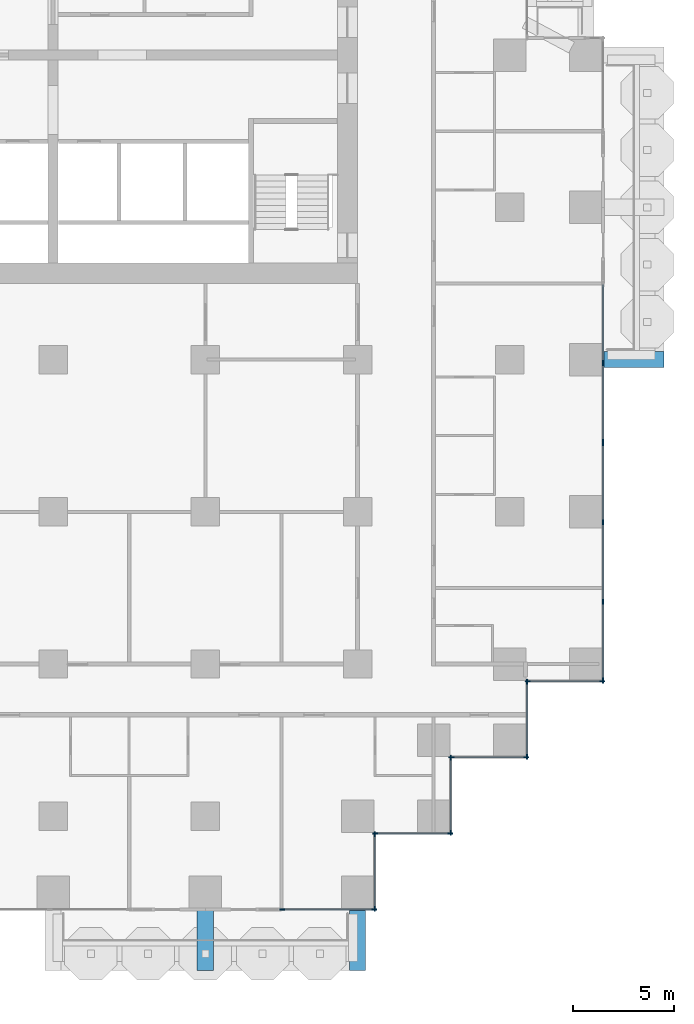
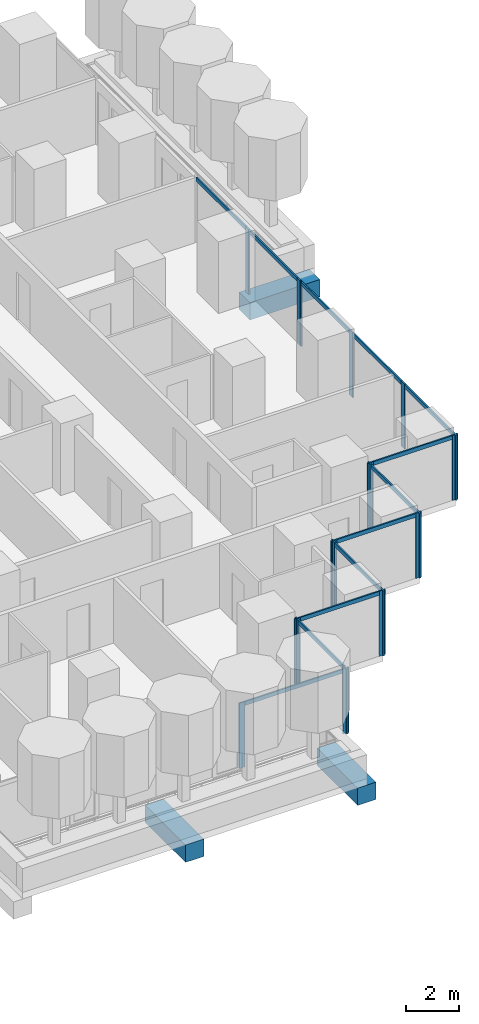
# One storey, part 3 of 18: 32 members, 3 beams, 9 elements without a shape of their own.
"""IFC4 building model written with IfcOpenShell, lengths in metres."""

from ifc_helpers import new_model, si_unit, direction, frame, origin, origin_2d, place, context, subcontext, project, spatial, rectangle, extrude, material, material_profile, profile_set, type_object, element, aggregate, save


model = new_model("IFC4")

# Units and contexts
model_context = context("Model", 3, precision=1e-05, world=origin(), true_north=direction((0.0, 1.0)))
body_context = subcontext(model_context, "Body", "Model", "MODEL_VIEW")
ifc_project = project(units=[si_unit("LENGTHUNIT", "METRE"), si_unit("AREAUNIT", "SQUARE_METRE"), si_unit("VOLUMEUNIT", "CUBIC_METRE"), si_unit("PLANEANGLEUNIT", "RADIAN"), si_unit("MASSUNIT", "GRAM", prefix="KILO")], contexts=[model_context])

# Site, building, storey
site_placement = place(None, origin())
site = spatial("IfcSite", under=ifc_project, at=site_placement, CompositionType="ELEMENT")
building_placement = place(site_placement, origin())
building = spatial("IfcBuilding", under=site, at=building_placement, Name="Pilkhan Gate Tower", CompositionType="ELEMENT")
storey_placement = place(building_placement, frame((0.0, 0.0, 52.699951171875)))
storey = spatial("IfcBuildingStorey", under=building, at=storey_placement, Name="L10", CompositionType="ELEMENT", Elevation=52.699951171875)

# Beams
ifc_material_1 = material(Name="Concrete C50/60", Category="concrete")
ifc_material_profile_1 = material_profile(ifc_material_1, rectangle(XDim=0.800048828125, YDim=0.800048828125, at=origin_2d()), Name="RC 800x800")
ifc_profile_set_1 = profile_set([ifc_material_profile_1], Name="Concrete C50/60")
beam_type = type_object("IfcBeamType", Name="Cantilever beam CB2 RC 800x800 C50/60", PredefinedType="BEAM", material=ifc_profile_set_1)
for number, where, z_axis, x_axis, name in (
    (1, (82.5, 40.449951171875, -0.699951171875), (0.0, -1.0, 0.0), (1.0, 0.0, 0.0), "Balcony beam S.2 L10"),
    (2, (90.0, 40.449951171875, -0.699951171875), (0.0, -1.0, 0.0), (1.0, 0.0, 0.0), "Balcony beam S.3 L10"),
    (3, (102.050048828125, 67.5, -0.699951171875), (1.0, 0.0, 0.0), (0.0, 1.0, 0.0), "Balcony beam E.1 L10"),
):
    element("IfcBeam", number, at=place(storey_placement, frame(where, z_axis=z_axis, x_axis=x_axis)), inside=storey, type_object=beam_type, Name=name, PredefinedType="BEAM", context=body_context, shape_type="SweptSolid", body=[
        extrude(rectangle(XDim=0.800048828125, YDim=0.800048828125, at=origin_2d()), origin(), (0.0, 0.0, 1.0), 3.050048828125),
    ])

# Curtain wall, members
ifc_material_2 = material(Name="Pale anodised aluminium, clear low-iron double glazing", Category="aluminium")
curtain_wall_type = type_object("IfcCurtainWallType", Name="Hotel unitised curtain wall CW-H", PredefinedType="USERDEFINED", material=ifc_material_2)
curtain_wall_1_placement = place(storey_placement, origin())
curtain_wall_1 = element("IfcCurtainWall", 4, at=curtain_wall_1_placement, inside=storey, type_object=curtain_wall_type, Name="Hotel unitised curtain wall CW-H L10 E", ObjectType="UNITISED CURTAIN WALL", PredefinedType="USERDEFINED")
ifc_material_3 = material(Name="Pale anodised aluminium", Category="aluminium")
ifc_material_profile_2 = material_profile(ifc_material_3, rectangle(XDim=0.06494140625, YDim=0.25, at=origin_2d()), Name="Mullion 250x65")
ifc_profile_set_2 = profile_set([ifc_material_profile_2], Name="Pale anodised aluminium")
member_type_1 = type_object("IfcMemberType", Name="Mullion CW-H 250x65", PredefinedType="MULLION", material=ifc_profile_set_2)
member_1_placement = place(storey_placement, frame((102.094970703125, 51.6875, 0.0), z_axis=(0.0, 0.0, 1.0), x_axis=(-1.0, 0.0, 0.0)))
member_1 = element("IfcMember", 5, at=member_1_placement, type_object=member_type_1, Name="CW-H mullion 1", PredefinedType="MULLION", context=body_context, shape_type="SweptSolid", body=[
    extrude(rectangle(XDim=0.06494140625, YDim=0.25, at=origin_2d()), origin(), (0.0, 0.0, 1.0), 3.0),
])
member_2_placement = place(storey_placement, frame((102.094970703125, 55.573974609375, 0.0), z_axis=(0.0, 0.0, 1.0), x_axis=(-1.0, 0.0, 0.0)))
member_2 = element("IfcMember", 6, at=member_2_placement, type_object=member_type_1, Name="CW-H mullion 2", PredefinedType="MULLION", context=body_context, shape_type="SweptSolid", body=[
    extrude(rectangle(XDim=0.06494140625, YDim=0.25, at=origin_2d()), origin(), (0.0, 0.0, 1.0), 3.0),
])
member_3_placement = place(storey_placement, frame((102.094970703125, 59.492919921875, 0.0), z_axis=(0.0, 0.0, 1.0), x_axis=(-1.0, 0.0, 0.0)))
member_3 = element("IfcMember", 7, at=member_3_placement, type_object=member_type_1, Name="CW-H mullion 3", PredefinedType="MULLION", context=body_context, shape_type="SweptSolid", body=[
    extrude(rectangle(XDim=0.06494140625, YDim=0.25, at=origin_2d()), origin(), (0.0, 0.0, 1.0), 3.0),
])
member_4_placement = place(storey_placement, frame((102.094970703125, 63.37939453125, 0.0), z_axis=(0.0, 0.0, 1.0), x_axis=(-1.0, 0.0, 0.0)))
member_4 = element("IfcMember", 8, at=member_4_placement, type_object=member_type_1, Name="CW-H mullion 4", PredefinedType="MULLION", context=body_context, shape_type="SweptSolid", body=[
    extrude(rectangle(XDim=0.06494140625, YDim=0.25, at=origin_2d()), origin(), (0.0, 0.0, 1.0), 3.0),
])

curtain_wall_2_placement = place(storey_placement, origin())
curtain_wall_2 = element("IfcCurtainWall", 9, at=curtain_wall_2_placement, inside=storey, type_object=curtain_wall_type, Name="Hotel unitised curtain wall CW-H L10 E", ObjectType="UNITISED CURTAIN WALL", PredefinedType="USERDEFINED")
member_5_placement = place(storey_placement, frame((102.094970703125, 63.444580078125, 0.0), z_axis=(0.0, 0.0, 1.0), x_axis=(-1.0, 0.0, 0.0)))
member_5 = element("IfcMember", 10, at=member_5_placement, type_object=member_type_1, Name="CW-H mullion 1", PredefinedType="MULLION", context=body_context, shape_type="SweptSolid", body=[
    extrude(rectangle(XDim=0.06494140625, YDim=0.25, at=origin_2d()), origin(), (0.0, 0.0, 1.0), 3.0),
])
member_6_placement = place(storey_placement, frame((102.094970703125, 67.3310546875, 0.0), z_axis=(0.0, 0.0, 1.0), x_axis=(-1.0, 0.0, 0.0)))
member_6 = element("IfcMember", 11, at=member_6_placement, type_object=member_type_1, Name="CW-H mullion 2", PredefinedType="MULLION", context=body_context, shape_type="SweptSolid", body=[
    extrude(rectangle(XDim=0.06494140625, YDim=0.25, at=origin_2d()), origin(), (0.0, 0.0, 1.0), 3.0),
])

curtain_wall_3_placement = place(storey_placement, origin())
curtain_wall_3 = element("IfcCurtainWall", 12, at=curtain_wall_3_placement, inside=storey, type_object=curtain_wall_type, Name="Hotel unitised curtain wall CW-H L10 S", ObjectType="UNITISED CURTAIN WALL", PredefinedType="USERDEFINED")
member_7_placement = place(storey_placement, frame((86.282470703125, 40.405029296875, 0.0), z_axis=(0.0, 0.0, 1.0), x_axis=(0.0, 1.0, 0.0)))
member_7 = element("IfcMember", 13, at=member_7_placement, type_object=member_type_1, Name="CW-H mullion 1", PredefinedType="MULLION", context=body_context, shape_type="SweptSolid", body=[
    extrude(rectangle(XDim=0.06494140625, YDim=0.25, at=origin_2d()), origin(), (0.0, 0.0, 1.0), 3.0),
])
member_8_placement = place(storey_placement, frame((90.8125, 40.405029296875, 0.0), z_axis=(0.0, 0.0, 1.0), x_axis=(0.0, 1.0, 0.0)))
member_8 = element("IfcMember", 14, at=member_8_placement, type_object=member_type_1, Name="CW-H mullion 2", PredefinedType="MULLION", context=body_context, shape_type="SweptSolid", body=[
    extrude(rectangle(XDim=0.06494140625, YDim=0.25, at=origin_2d()), origin(), (0.0, 0.0, 1.0), 3.0),
])

curtain_wall_4_placement = place(storey_placement, origin())
curtain_wall_4 = element("IfcCurtainWall", 15, at=curtain_wall_4_placement, inside=storey, type_object=curtain_wall_type, Name="Hotel unitised curtain wall CW-H L10 E", ObjectType="UNITISED CURTAIN WALL", PredefinedType="USERDEFINED")
member_9_placement = place(storey_placement, frame((90.844970703125, 40.4375, 0.0), z_axis=(0.0, 0.0, 1.0), x_axis=(-1.0, 0.0, 0.0)))
member_9 = element("IfcMember", 16, at=member_9_placement, type_object=member_type_1, Name="CW-H mullion 1", PredefinedType="MULLION", context=body_context, shape_type="SweptSolid", body=[
    extrude(rectangle(XDim=0.06494140625, YDim=0.25, at=origin_2d()), origin(), (0.0, 0.0, 1.0), 3.0),
])
member_10_placement = place(storey_placement, frame((90.844970703125, 44.12255859375, 0.0), z_axis=(0.0, 0.0, 1.0), x_axis=(-1.0, 0.0, 0.0)))
member_10 = element("IfcMember", 17, at=member_10_placement, type_object=member_type_1, Name="CW-H mullion 2", PredefinedType="MULLION", context=body_context, shape_type="SweptSolid", body=[
    extrude(rectangle(XDim=0.06494140625, YDim=0.25, at=origin_2d()), origin(), (0.0, 0.0, 1.0), 3.0),
])

curtain_wall_5_placement = place(storey_placement, origin())
curtain_wall_5 = element("IfcCurtainWall", 18, at=curtain_wall_5_placement, inside=storey, type_object=curtain_wall_type, Name="Hotel unitised curtain wall CW-H L10 S", ObjectType="UNITISED CURTAIN WALL", PredefinedType="USERDEFINED")
member_11_placement = place(storey_placement, frame((90.87744140625, 44.155029296875, 0.0), z_axis=(0.0, 0.0, 1.0), x_axis=(0.0, 1.0, 0.0)))
member_11 = element("IfcMember", 19, at=member_11_placement, type_object=member_type_1, Name="CW-H mullion 1", PredefinedType="MULLION", context=body_context, shape_type="SweptSolid", body=[
    extrude(rectangle(XDim=0.06494140625, YDim=0.25, at=origin_2d()), origin(), (0.0, 0.0, 1.0), 3.0),
])
member_12_placement = place(storey_placement, frame((94.5625, 44.155029296875, 0.0), z_axis=(0.0, 0.0, 1.0), x_axis=(0.0, 1.0, 0.0)))
member_12 = element("IfcMember", 20, at=member_12_placement, type_object=member_type_1, Name="CW-H mullion 2", PredefinedType="MULLION", context=body_context, shape_type="SweptSolid", body=[
    extrude(rectangle(XDim=0.06494140625, YDim=0.25, at=origin_2d()), origin(), (0.0, 0.0, 1.0), 3.0),
])

curtain_wall_6_placement = place(storey_placement, origin())
curtain_wall_6 = element("IfcCurtainWall", 21, at=curtain_wall_6_placement, inside=storey, type_object=curtain_wall_type, Name="Hotel unitised curtain wall CW-H L10 E", ObjectType="UNITISED CURTAIN WALL", PredefinedType="USERDEFINED")
member_13_placement = place(storey_placement, frame((94.594970703125, 44.1875, 0.0), z_axis=(0.0, 0.0, 1.0), x_axis=(-1.0, 0.0, 0.0)))
member_13 = element("IfcMember", 22, at=member_13_placement, type_object=member_type_1, Name="CW-H mullion 1", PredefinedType="MULLION", context=body_context, shape_type="SweptSolid", body=[
    extrude(rectangle(XDim=0.06494140625, YDim=0.25, at=origin_2d()), origin(), (0.0, 0.0, 1.0), 3.0),
])
member_14_placement = place(storey_placement, frame((94.594970703125, 47.87255859375, 0.0), z_axis=(0.0, 0.0, 1.0), x_axis=(-1.0, 0.0, 0.0)))
member_14 = element("IfcMember", 23, at=member_14_placement, type_object=member_type_1, Name="CW-H mullion 2", PredefinedType="MULLION", context=body_context, shape_type="SweptSolid", body=[
    extrude(rectangle(XDim=0.06494140625, YDim=0.25, at=origin_2d()), origin(), (0.0, 0.0, 1.0), 3.0),
])

curtain_wall_7_placement = place(storey_placement, origin())
curtain_wall_7 = element("IfcCurtainWall", 24, at=curtain_wall_7_placement, inside=storey, type_object=curtain_wall_type, Name="Hotel unitised curtain wall CW-H L10 S", ObjectType="UNITISED CURTAIN WALL", PredefinedType="USERDEFINED")
member_15_placement = place(storey_placement, frame((94.62744140625, 47.905029296875, 0.0), z_axis=(0.0, 0.0, 1.0), x_axis=(0.0, 1.0, 0.0)))
member_15 = element("IfcMember", 25, at=member_15_placement, type_object=member_type_1, Name="CW-H mullion 1", PredefinedType="MULLION", context=body_context, shape_type="SweptSolid", body=[
    extrude(rectangle(XDim=0.06494140625, YDim=0.25, at=origin_2d()), origin(), (0.0, 0.0, 1.0), 3.0),
])
member_16_placement = place(storey_placement, frame((98.3125, 47.905029296875, 0.0), z_axis=(0.0, 0.0, 1.0), x_axis=(0.0, 1.0, 0.0)))
member_16 = element("IfcMember", 26, at=member_16_placement, type_object=member_type_1, Name="CW-H mullion 2", PredefinedType="MULLION", context=body_context, shape_type="SweptSolid", body=[
    extrude(rectangle(XDim=0.06494140625, YDim=0.25, at=origin_2d()), origin(), (0.0, 0.0, 1.0), 3.0),
])

curtain_wall_8_placement = place(storey_placement, origin())
curtain_wall_8 = element("IfcCurtainWall", 27, at=curtain_wall_8_placement, inside=storey, type_object=curtain_wall_type, Name="Hotel unitised curtain wall CW-H L10 E", ObjectType="UNITISED CURTAIN WALL", PredefinedType="USERDEFINED")
member_17_placement = place(storey_placement, frame((98.344970703125, 47.9375, 0.0), z_axis=(0.0, 0.0, 1.0), x_axis=(-1.0, 0.0, 0.0)))
member_17 = element("IfcMember", 28, at=member_17_placement, type_object=member_type_1, Name="CW-H mullion 1", PredefinedType="MULLION", context=body_context, shape_type="SweptSolid", body=[
    extrude(rectangle(XDim=0.06494140625, YDim=0.25, at=origin_2d()), origin(), (0.0, 0.0, 1.0), 3.0),
])
member_18_placement = place(storey_placement, frame((98.344970703125, 51.62255859375, 0.0), z_axis=(0.0, 0.0, 1.0), x_axis=(-1.0, 0.0, 0.0)))
member_18 = element("IfcMember", 29, at=member_18_placement, type_object=member_type_1, Name="CW-H mullion 2", PredefinedType="MULLION", context=body_context, shape_type="SweptSolid", body=[
    extrude(rectangle(XDim=0.06494140625, YDim=0.25, at=origin_2d()), origin(), (0.0, 0.0, 1.0), 3.0),
])

curtain_wall_9_placement = place(storey_placement, origin())
curtain_wall_9 = element("IfcCurtainWall", 30, at=curtain_wall_9_placement, inside=storey, type_object=curtain_wall_type, Name="Hotel unitised curtain wall CW-H L10 S", ObjectType="UNITISED CURTAIN WALL", PredefinedType="USERDEFINED")
member_19_placement = place(storey_placement, frame((98.37744140625, 51.655029296875, 0.0), z_axis=(0.0, 0.0, 1.0), x_axis=(0.0, 1.0, 0.0)))
member_19 = element("IfcMember", 31, at=member_19_placement, type_object=member_type_1, Name="CW-H mullion 1", PredefinedType="MULLION", context=body_context, shape_type="SweptSolid", body=[
    extrude(rectangle(XDim=0.06494140625, YDim=0.25, at=origin_2d()), origin(), (0.0, 0.0, 1.0), 3.0),
])
member_20_placement = place(storey_placement, frame((102.0625, 51.655029296875, 0.0), z_axis=(0.0, 0.0, 1.0), x_axis=(0.0, 1.0, 0.0)))
member_20 = element("IfcMember", 32, at=member_20_placement, type_object=member_type_1, Name="CW-H mullion 2", PredefinedType="MULLION", context=body_context, shape_type="SweptSolid", body=[
    extrude(rectangle(XDim=0.06494140625, YDim=0.25, at=origin_2d()), origin(), (0.0, 0.0, 1.0), 3.0),
])

# Member
ifc_material_profile_3 = material_profile(ifc_material_3, rectangle(XDim=0.06494140625, YDim=0.179931640625, at=origin_2d()), Name="Transom 180x65")
ifc_profile_set_3 = profile_set([ifc_material_profile_3], Name="Pale anodised aluminium")
member_type_2 = type_object("IfcMemberType", Name="Transom CW-H 180x65", PredefinedType="USERDEFINED", material=ifc_profile_set_3)
member_21_placement = place(storey_placement, frame((102.094970703125, 51.719970703125, 2.91015625), z_axis=(0.0, 1.0, 0.0), x_axis=(-1.0, 0.0, 0.0)))
member_21 = element("IfcMember", 33, at=member_21_placement, type_object=member_type_2, Name="CW-H transom 1", ObjectType="TRANSOM", PredefinedType="USERDEFINED", context=body_context, shape_type="SweptSolid", body=[
    extrude(rectangle(XDim=0.06494140625, YDim=0.179931640625, at=origin_2d()), origin(), (0.0, 0.0, 1.0), 3.821533203125),
])

member_22_placement = place(storey_placement, frame((102.094970703125, 55.6064453125, 2.91015625), z_axis=(0.0, 1.0, 0.0), x_axis=(-1.0, 0.0, 0.0)))
member_22 = element("IfcMember", 34, at=member_22_placement, type_object=member_type_2, Name="CW-H transom 2", ObjectType="TRANSOM", PredefinedType="USERDEFINED", context=body_context, shape_type="SweptSolid", body=[
    extrude(rectangle(XDim=0.06494140625, YDim=0.179931640625, at=origin_2d()), origin(), (0.0, 0.0, 1.0), 3.85400390625),
])

member_23_placement = place(storey_placement, frame((102.094970703125, 59.525390625, 2.91015625), z_axis=(0.0, 1.0, 0.0), x_axis=(-1.0, 0.0, 0.0)))
member_23 = element("IfcMember", 35, at=member_23_placement, type_object=member_type_2, Name="CW-H transom 3", ObjectType="TRANSOM", PredefinedType="USERDEFINED", context=body_context, shape_type="SweptSolid", body=[
    extrude(rectangle(XDim=0.06494140625, YDim=0.179931640625, at=origin_2d()), origin(), (0.0, 0.0, 1.0), 3.821533203125),
])

aggregate(curtain_wall_1, [member_1, member_2, member_3, member_4, member_21, member_22, member_23])

member_24_placement = place(storey_placement, frame((102.094970703125, 63.47705078125, 2.91015625), z_axis=(0.0, 1.0, 0.0), x_axis=(-1.0, 0.0, 0.0)))
member_24 = element("IfcMember", 36, at=member_24_placement, type_object=member_type_2, Name="CW-H transom 1", ObjectType="TRANSOM", PredefinedType="USERDEFINED", context=body_context, shape_type="SweptSolid", body=[
    extrude(rectangle(XDim=0.06494140625, YDim=0.179931640625, at=origin_2d()), origin(), (0.0, 0.0, 1.0), 3.821533203125),
])

member_25_placement = place(storey_placement, frame((102.094970703125, 67.363525390625, 2.91015625), z_axis=(0.0, 1.0, 0.0), x_axis=(-1.0, 0.0, 0.0)))
member_25 = element("IfcMember", 37, at=member_25_placement, type_object=member_type_2, Name="CW-H transom 2", ObjectType="TRANSOM", PredefinedType="USERDEFINED", context=body_context, shape_type="SweptSolid", body=[
    extrude(rectangle(XDim=0.06494140625, YDim=0.179931640625, at=origin_2d()), origin(), (0.0, 0.0, 1.0), 3.821533203125),
])

aggregate(curtain_wall_2, [member_5, member_6, member_24, member_25])

member_26_placement = place(storey_placement, frame((86.31494140625, 40.405029296875, 2.91015625), z_axis=(1.0, 0.0, 0.0), x_axis=(0.0, 1.0, 0.0)))
member_26 = element("IfcMember", 38, at=member_26_placement, type_object=member_type_2, Name="CW-H transom 1", ObjectType="TRANSOM", PredefinedType="USERDEFINED", context=body_context, shape_type="SweptSolid", body=[
    extrude(rectangle(XDim=0.06494140625, YDim=0.179931640625, at=origin_2d()), origin(), (0.0, 0.0, 1.0), 4.465087890625),
])

aggregate(curtain_wall_3, [member_7, member_8, member_26])

member_27_placement = place(storey_placement, frame((90.844970703125, 40.469970703125, 2.91015625), z_axis=(0.0, 1.0, 0.0), x_axis=(-1.0, 0.0, 0.0)))
member_27 = element("IfcMember", 39, at=member_27_placement, type_object=member_type_2, Name="CW-H transom 1", ObjectType="TRANSOM", PredefinedType="USERDEFINED", context=body_context, shape_type="SweptSolid", body=[
    extrude(rectangle(XDim=0.06494140625, YDim=0.179931640625, at=origin_2d()), origin(), (0.0, 0.0, 1.0), 3.6201171875),
])

aggregate(curtain_wall_4, [member_9, member_10, member_27])

member_28_placement = place(storey_placement, frame((90.909912109375, 44.155029296875, 2.91015625), z_axis=(1.0, 0.0, 0.0), x_axis=(0.0, 1.0, 0.0)))
member_28 = element("IfcMember", 40, at=member_28_placement, type_object=member_type_2, Name="CW-H transom 1", ObjectType="TRANSOM", PredefinedType="USERDEFINED", context=body_context, shape_type="SweptSolid", body=[
    extrude(rectangle(XDim=0.06494140625, YDim=0.179931640625, at=origin_2d()), origin(), (0.0, 0.0, 1.0), 3.6201171875),
])

aggregate(curtain_wall_5, [member_11, member_12, member_28])

member_29_placement = place(storey_placement, frame((94.594970703125, 44.219970703125, 2.91015625), z_axis=(0.0, 1.0, 0.0), x_axis=(-1.0, 0.0, 0.0)))
member_29 = element("IfcMember", 41, at=member_29_placement, type_object=member_type_2, Name="CW-H transom 1", ObjectType="TRANSOM", PredefinedType="USERDEFINED", context=body_context, shape_type="SweptSolid", body=[
    extrude(rectangle(XDim=0.06494140625, YDim=0.179931640625, at=origin_2d()), origin(), (0.0, 0.0, 1.0), 3.6201171875),
])

aggregate(curtain_wall_6, [member_13, member_14, member_29])

member_30_placement = place(storey_placement, frame((94.659912109375, 47.905029296875, 2.91015625), z_axis=(1.0, 0.0, 0.0), x_axis=(0.0, 1.0, 0.0)))
member_30 = element("IfcMember", 42, at=member_30_placement, type_object=member_type_2, Name="CW-H transom 1", ObjectType="TRANSOM", PredefinedType="USERDEFINED", context=body_context, shape_type="SweptSolid", body=[
    extrude(rectangle(XDim=0.06494140625, YDim=0.179931640625, at=origin_2d()), origin(), (0.0, 0.0, 1.0), 3.6201171875),
])

aggregate(curtain_wall_7, [member_15, member_16, member_30])

member_31_placement = place(storey_placement, frame((98.344970703125, 47.969970703125, 2.91015625), z_axis=(0.0, 1.0, 0.0), x_axis=(-1.0, 0.0, 0.0)))
member_31 = element("IfcMember", 43, at=member_31_placement, type_object=member_type_2, Name="CW-H transom 1", ObjectType="TRANSOM", PredefinedType="USERDEFINED", context=body_context, shape_type="SweptSolid", body=[
    extrude(rectangle(XDim=0.06494140625, YDim=0.179931640625, at=origin_2d()), origin(), (0.0, 0.0, 1.0), 3.6201171875),
])

aggregate(curtain_wall_8, [member_17, member_18, member_31])

member_32_placement = place(storey_placement, frame((98.409912109375, 51.655029296875, 2.91015625), z_axis=(1.0, 0.0, 0.0), x_axis=(0.0, 1.0, 0.0)))
member_32 = element("IfcMember", 44, at=member_32_placement, type_object=member_type_2, Name="CW-H transom 1", ObjectType="TRANSOM", PredefinedType="USERDEFINED", context=body_context, shape_type="SweptSolid", body=[
    extrude(rectangle(XDim=0.06494140625, YDim=0.179931640625, at=origin_2d()), origin(), (0.0, 0.0, 1.0), 3.6201171875),
])

aggregate(curtain_wall_9, [member_19, member_20, member_32])

save(model, "model.ifc")
